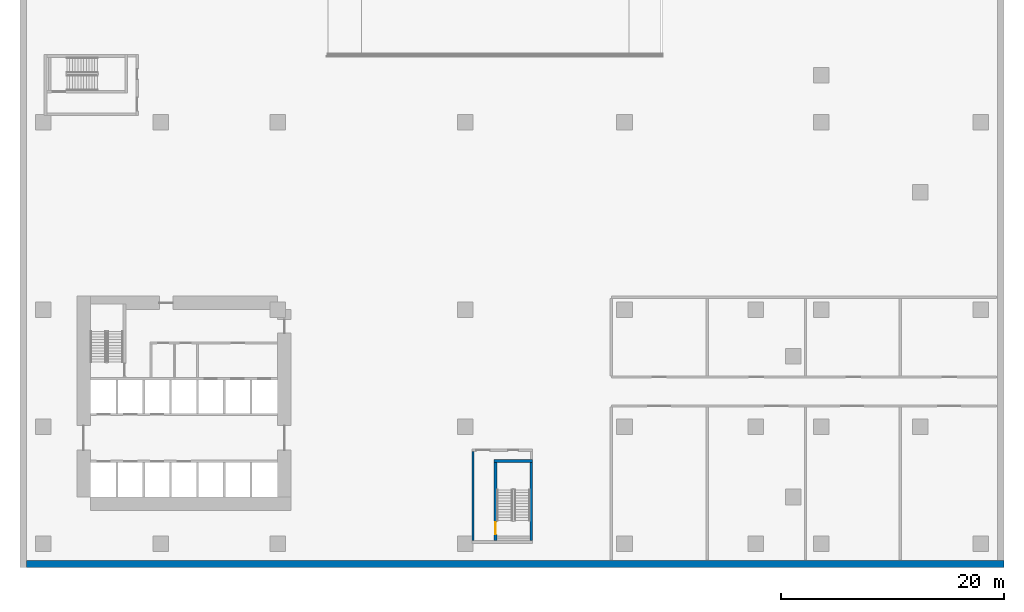
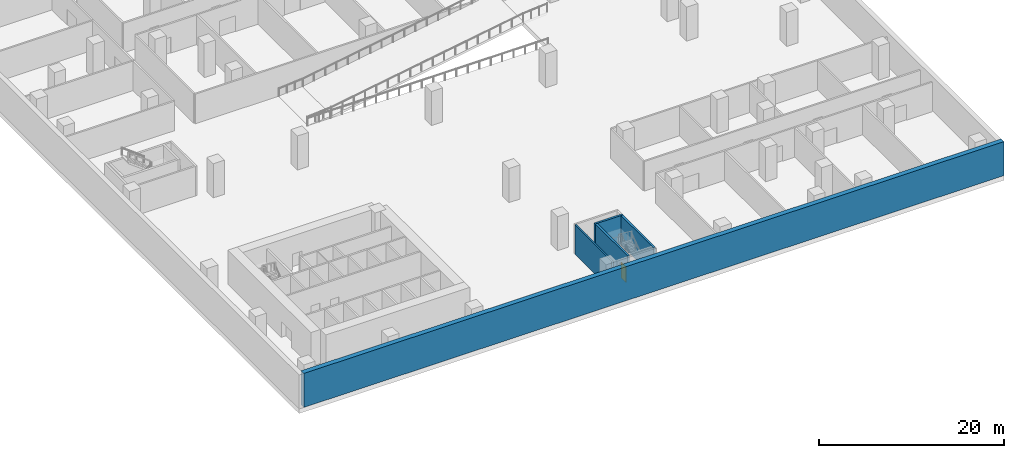
# One storey, part 3 of 12: 5 walls, 1 door, 1 opening.
"""IFC4 building model written with IfcOpenShell, lengths in metres."""

from ifc_helpers import new_model, si_unit, direction, frame, frame_2d, origin, place, context, subcontext, project, spatial, rectangle, extrude, source, transform, mapped, material, layer, layer_set, type_object, element, fill, save


model = new_model("IFC4")

# Units and contexts
model_context = context("Model", 3, precision=1e-05, world=origin(), true_north=direction((0.0, 1.0)))
body_context = subcontext(model_context, "Body", "Model", "MODEL_VIEW")
ifc_project = project(units=[si_unit("LENGTHUNIT", "METRE"), si_unit("AREAUNIT", "SQUARE_METRE"), si_unit("VOLUMEUNIT", "CUBIC_METRE"), si_unit("PLANEANGLEUNIT", "RADIAN"), si_unit("MASSUNIT", "GRAM", prefix="KILO")], contexts=[model_context])

# Site, building, storey
site_placement = place(None, origin())
site = spatial("IfcSite", under=ifc_project, at=site_placement, CompositionType="ELEMENT")
building_placement = place(site_placement, origin())
building = spatial("IfcBuilding", under=site, at=building_placement, Name="Aurelian Terraces", CompositionType="ELEMENT")
storey_placement = place(building_placement, frame((0.0, 0.0, -9.0)))
storey = spatial("IfcBuildingStorey", under=building, at=storey_placement, Name="B2", CompositionType="ELEMENT", Elevation=-9.0)

# Wall
ifc_material_1 = material(Name="Concrete fc' 40 MPa", Category="concrete")
ifc_layer_1 = layer(ifc_material_1, 0.6)
ifc_layer_set_1 = layer_set([ifc_layer_1], Name="BASEMENT WALL 600 FC40")
wall_type_1 = type_object("IfcWallType", Name="BASEMENT WALL 600 FC40", PredefinedType="SOLIDWALL", material=ifc_layer_set_1)
shared_shape_1 = source(origin(), body_context, "Body", "SweptSolid", [
    extrude(rectangle(XDim=87.6, YDim=0.6, at=frame_2d((43.8, 0.0))), origin(), (0.0, 0.0, 1.0), 4.5),
])
wall_1_placement = place(storey_placement, frame((-1.5, -1.8, 0.0), z_axis=(0.0, 0.0, 1.0), x_axis=(1.0, 0.0, 0.0)))
element("IfcWall", 1, at=wall_1_placement, inside=storey, type_object=wall_type_1, Name="Basement wall 4 B2", PredefinedType="SOLIDWALL", context=body_context, shape_type="MappedRepresentation", body=[
    mapped(shared_shape_1, transform((0.0, 0.0, 0.0), scale=1.0)),
])

# Wall, opening, door
ifc_layer_2 = layer(ifc_material_1, 0.25)
ifc_layer_set_2 = layer_set([ifc_layer_2], Name="Stair enclosure wall 250")
wall_type_2 = type_object("IfcWallType", Name="Stair enclosure wall 250", PredefinedType="SOLIDWALL", material=ifc_layer_set_2)
shared_shape_2 = source(origin(), body_context, "Body", "SweptSolid", [
    extrude(rectangle(XDim=7.0, YDim=0.25, at=frame_2d((3.5, 0.0))), origin(), (0.0, 0.0, 1.0), 3.9),
])
wall_2_placement = place(storey_placement, frame((40.525, 0.3, 0.0), z_axis=(0.0, 0.0, 1.0), x_axis=(0.0, 1.0, 0.0)))
wall_2 = element("IfcWall", 2, at=wall_2_placement, inside=storey, type_object=wall_type_2, Name="B2 core wall ST-S2-W", PredefinedType="SOLIDWALL", context=body_context, shape_type="MappedRepresentation", body=[
    mapped(shared_shape_2, transform((0.0, 0.0, 0.0), scale=1.0)),
])
shared_shape_3 = source(origin(), body_context, "Body", "SweptSolid", [
    extrude(rectangle(XDim=1.1, YDim=2.1, at=frame_2d((0.55, 1.05))), frame((0.0, 0.135, 0.0), z_axis=(0.0, -1.0, 0.0), x_axis=(1.0, 0.0, 0.0)), (0.0, 0.0, 1.0), 0.27),
])
opening_placement = place(wall_2_placement, frame((0.55, 0.0, 0.0)))
opening = element("IfcOpeningElement", 3, at=opening_placement, cuts=wall_2, Name="Opening 60114", PredefinedType="OPENING", context=body_context, shape_type="MappedRepresentation", body=[
    mapped(shared_shape_3, transform((0.0, 0.0, 0.0), scale=1.0)),
])
ifc_material_2 = material(Name="Steel door leaf", Category="steel")
door_type = type_object("IfcDoorType", Name="Core fire door 1100x2100 right", OperationType="SINGLE_SWING_RIGHT", PredefinedType="DOOR", material=ifc_material_2)
shared_shape_4 = source(origin(), body_context, "Body", "SweptSolid", [
    extrude(rectangle(XDim=1.1, YDim=2.1, at=frame_2d((0.55, 1.05))), frame((0.0, 0.025, 0.0), z_axis=(0.0, -1.0, 0.0), x_axis=(1.0, 0.0, 0.0)), (0.0, 0.0, 1.0), 0.05),
])
door_placement = place(opening_placement, origin())
door = element("IfcDoor", 4, at=door_placement, inside=storey, type_object=door_type, Name="Stair door 60114", OperationType="SINGLE_SWING_RIGHT", OverallHeight=2.1, OverallWidth=1.1, PredefinedType="DOOR", context=body_context, shape_type="MappedRepresentation", body=[
    mapped(shared_shape_4, transform((0.0, 0.0, 0.0), scale=1.0)),
])
fill(opening, door)

# Walls
wall_3_placement = place(storey_placement, frame((43.725, 0.3, 0.0), z_axis=(0.0, 0.0, 1.0), x_axis=(0.0, 1.0, 0.0)))
element("IfcWall", 5, at=wall_3_placement, inside=storey, type_object=wall_type_2, Name="B2 core wall ST-S2-E", PredefinedType="SOLIDWALL", context=body_context, shape_type="MappedRepresentation", body=[
    mapped(shared_shape_2, transform((0.0, 0.0, 0.0), scale=1.0)),
])
shared_shape_5 = source(origin(), body_context, "Body", "SweptSolid", [
    extrude(rectangle(XDim=3.45, YDim=0.25, at=frame_2d((1.725, 0.0))), origin(), (0.0, 0.0, 1.0), 3.9),
])
wall_4_placement = place(storey_placement, frame((40.4, 7.425, 0.0), z_axis=(0.0, 0.0, 1.0), x_axis=(1.0, 0.0, 0.0)))
element("IfcWall", 6, at=wall_4_placement, inside=storey, type_object=wall_type_2, Name="B2 core wall ST-S2-N", PredefinedType="SOLIDWALL", context=body_context, shape_type="MappedRepresentation", body=[
    mapped(shared_shape_5, transform((0.0, 0.0, 0.0), scale=1.0)),
])
ifc_material_3 = material(Name="Gypsum board on steel studs", Category="steel")
ifc_layer_3 = layer(ifc_material_3, 0.2)
ifc_layer_set_3 = layer_set([ifc_layer_3], Name="Core partition 200")
wall_type_3 = type_object("IfcWallType", Name="Core partition 200", PredefinedType="PARTITIONING", material=ifc_layer_set_3)
shared_shape_6 = source(origin(), body_context, "Body", "SweptSolid", [
    extrude(rectangle(XDim=8.0, YDim=0.2, at=frame_2d((4.0, 0.0))), origin(), (0.0, 0.0, 1.0), 3.9),
])
wall_5_placement = place(storey_placement, frame((38.5, 0.3, 0.0), z_axis=(0.0, 0.0, 1.0), x_axis=(0.0, 1.0, 0.0)))
element("IfcWall", 7, at=wall_5_placement, inside=storey, type_object=wall_type_3, Name="B2 core wall ST-S2-VW", PredefinedType="PARTITIONING", context=body_context, shape_type="MappedRepresentation", body=[
    mapped(shared_shape_6, transform((0.0, 0.0, 0.0), scale=1.0)),
])

save(model, "model.ifc")
